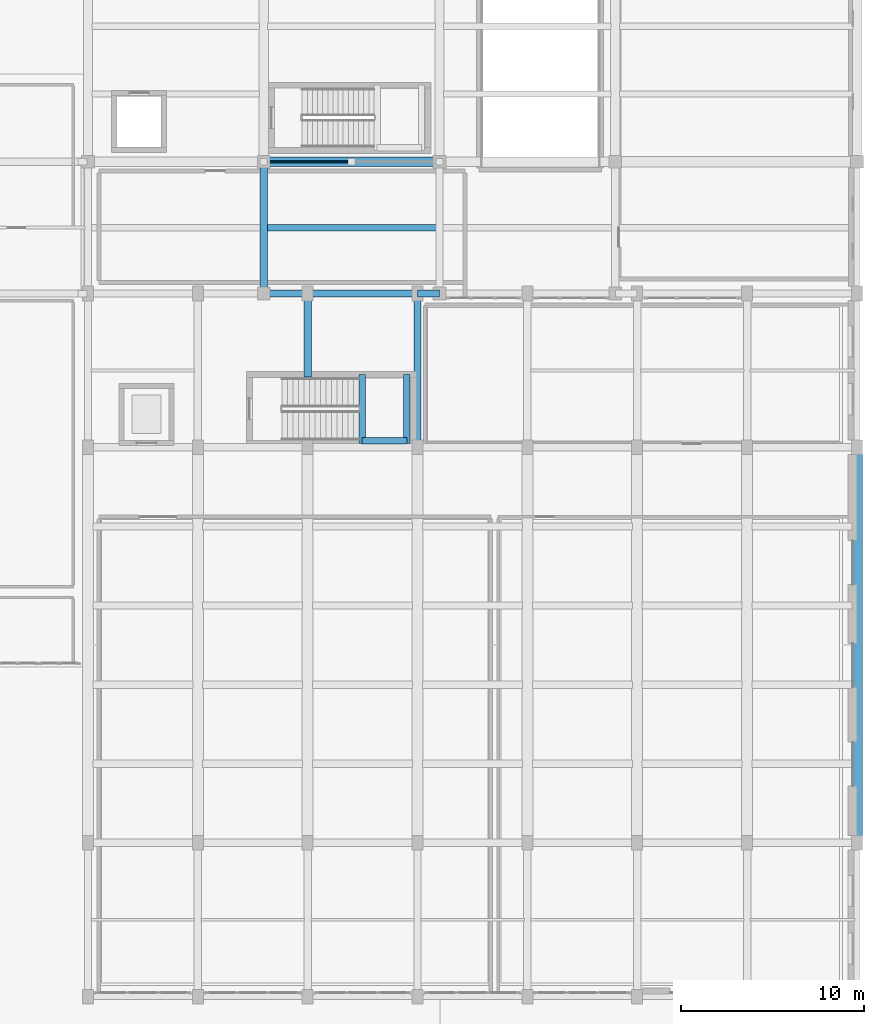
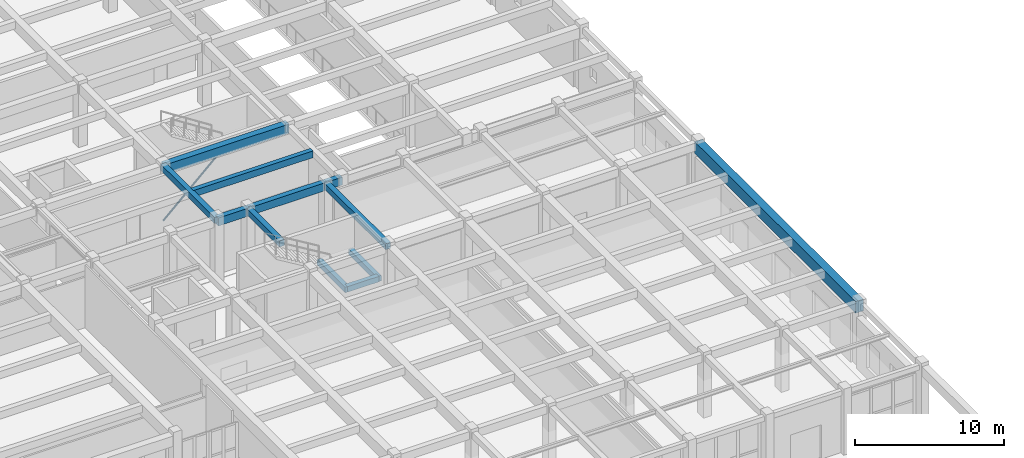
# One storey, part 53 of 98: 12 beams, 1 member.
"""IFC4 building model written with IfcOpenShell, lengths in metres."""

from ifc_helpers import new_model, si_unit, direction, frame, origin, origin_2d, place, context, subcontext, project, spatial, rectangle, hollow_circle, extrude, material, material_profile, profile_set, type_object, element, save


model = new_model("IFC4")

# Units and contexts
model_context = context("Model", 3, precision=1e-05, world=origin(), true_north=direction((0.0, 1.0)))
body_context = subcontext(model_context, "Body", "Model", "MODEL_VIEW")
ifc_project = project(units=[si_unit("LENGTHUNIT", "METRE"), si_unit("AREAUNIT", "SQUARE_METRE"), si_unit("VOLUMEUNIT", "CUBIC_METRE"), si_unit("PLANEANGLEUNIT", "RADIAN"), si_unit("MASSUNIT", "GRAM", prefix="KILO")], contexts=[model_context])

# Site, building, storey
site_placement = place(None, origin())
site = spatial("IfcSite", under=ifc_project, at=site_placement, CompositionType="ELEMENT")
building_placement = place(site_placement, origin())
building = spatial("IfcBuilding", under=site, at=building_placement, Name="Tarnavel Promenade Courthouse", CompositionType="ELEMENT")
storey_placement = place(building_placement, origin())
storey = spatial("IfcBuildingStorey", under=building, at=storey_placement, Name="L01", CompositionType="ELEMENT", Elevation=0.0)

# Beams
ifc_material_1 = material(Name="Concrete C40/50", Category="concrete")
ifc_material_profile_1 = material_profile(ifc_material_1, rectangle(XDim=0.35009765625, YDim=0.550048828125, at=origin_2d()), Name="PT 350x550")
ifc_profile_set_1 = profile_set([ifc_material_profile_1], Name="Concrete C40/50")
beam_type_1 = type_object("IfcBeamType", Name="Concrete C40/50 BM-PT-350x550 (PT 350x550)", PredefinedType="JOIST", material=ifc_profile_set_1)
beam_1_placement = place(storey_placement, frame((129.77001953125, 70.800048828125, 4.860107421875), z_axis=(1.0, 0.0, 0.0), x_axis=(0.0, 1.0, 0.0)))
element("IfcBeam", 1, at=beam_1_placement, inside=storey, type_object=beam_type_1, Name="L01 Secondary Floor Rib 0943", PredefinedType="JOIST", context=body_context, shape_type="SweptSolid", body=[
    extrude(rectangle(XDim=0.35009765625, YDim=0.550048828125, at=origin_2d()), origin(), (0.0, 0.0, 1.0), 9.260009765625),
])
ifc_material_profile_2 = material_profile(ifc_material_1, rectangle(XDim=0.60009765625, YDim=0.949951171875, at=origin_2d()), Name="PT 600x950")
ifc_profile_set_2 = profile_set([ifc_material_profile_2], Name="Concrete C40/50")
beam_type_2 = type_object("IfcBeamType", Name="Concrete C40/50 BM-PT-600x950 (PT 600x950)", PredefinedType="T_BEAM", material=ifc_profile_set_2)
beam_2_placement = place(storey_placement, frame((162.0, 37.199951171875, 4.659912109375), z_axis=(0.0, 1.0, 0.0), x_axis=(-1.0, 0.0, 0.0)))
element("IfcBeam", 2, at=beam_2_placement, inside=storey, type_object=beam_type_2, Name="L01 Transverse Girder 0883", PredefinedType="T_BEAM", context=body_context, shape_type="SweptSolid", body=[
    extrude(rectangle(XDim=0.60009765625, YDim=0.949951171875, at=origin_2d()), origin(), (0.0, 0.0, 1.0), 21.60009765625),
])
ifc_material_profile_3 = material_profile(ifc_material_1, rectangle(XDim=0.35009765625, YDim=0.449951171875, at=origin_2d()), Name="RC 350x450")
ifc_profile_set_3 = profile_set([ifc_material_profile_3], Name="Concrete C40/50")
beam_type_3 = type_object("IfcBeamType", Name="Concrete C40/50 BM-RC-350x450 (RC 350x450)", PredefinedType="BEAM", material=ifc_profile_set_3)
for number, where, z_axis, x_axis, name in (
    (3, (134.97998046875, 59.02001953125, 2.27001953125), (0.0, 1.0, 0.0), (-1.0, 0.0, 0.0), "L01 ST-08 Mid-Landing Support Beam Near"),
    (4, (137.419921875, 59.02001953125, 2.27001953125), (0.0, 1.0, 0.0), (-1.0, 0.0, 0.0), "L01 ST-08 Mid-Landing Support Beam Far"),
):
    element("IfcBeam", number, at=place(storey_placement, frame(where, z_axis=z_axis, x_axis=x_axis)), inside=storey, type_object=beam_type_3, Name=name, PredefinedType="BEAM", context=body_context, shape_type="SweptSolid", body=[
        extrude(rectangle(XDim=0.35009765625, YDim=0.449951171875, at=origin_2d()), origin(), (0.0, 0.0, 1.0), 3.760009765625),
    ])
beam_3_placement = place(storey_placement, frame((134.97998046875, 59.169921875, 2.27001953125), z_axis=(1.0, 0.0, 0.0), x_axis=(0.0, 1.0, 0.0)))
element("IfcBeam", 5, at=beam_3_placement, inside=storey, type_object=beam_type_3, Name="L01 ST-08 Mid-Landing Edge Trimmer", PredefinedType="BEAM", context=body_context, shape_type="SweptSolid", body=[
    extrude(rectangle(XDim=0.35009765625, YDim=0.449951171875, at=origin_2d()), origin(), (0.0, 0.0, 1.0), 2.43994140625),
])
ifc_material_profile_4 = material_profile(ifc_material_1, rectangle(XDim=0.39990234375, YDim=0.5, at=origin_2d()), Name="RC 400x500")
ifc_profile_set_4 = profile_set([ifc_material_profile_4], Name="Concrete C40/50")
beam_type_4 = type_object("IfcBeamType", Name="Concrete C40/50 BM-RC-400x500 (RC 400x500)", PredefinedType="BEAM", material=ifc_profile_set_4)
beam_4_placement = place(storey_placement, frame((129.60009765625, 67.199951171875, 4.885009765625), z_axis=(0.0, 1.0, 0.0), x_axis=(-1.0, 0.0, 0.0)))
element("IfcBeam", 6, at=beam_4_placement, inside=storey, type_object=beam_type_4, Name="L01 Transverse Girder 0845", PredefinedType="BEAM", context=body_context, shape_type="SweptSolid", body=[
    extrude(rectangle(XDim=0.39990234375, YDim=0.5, at=origin_2d()), origin(), (0.0, 0.0, 1.0), 7.199951171875),
])
beam_5_placement = place(storey_placement, frame((132.0, 62.64990234375, 4.885009765625), z_axis=(0.0, 1.0, 0.0), x_axis=(-1.0, 0.0, 0.0)))
element("IfcBeam", 7, at=beam_5_placement, inside=storey, type_object=beam_type_4, Name="L01 Transverse Girder 0852", PredefinedType="BEAM", context=body_context, shape_type="SweptSolid", body=[
    extrude(rectangle(XDim=0.39990234375, YDim=0.5, at=origin_2d()), origin(), (0.0, 0.0, 1.0), 4.550048828125),
])
beam_6_placement = place(storey_placement, frame((138.0, 58.800048828125, 4.885009765625), z_axis=(0.0, 1.0, 0.0), x_axis=(-1.0, 0.0, 0.0)))
element("IfcBeam", 8, at=beam_6_placement, inside=storey, type_object=beam_type_4, Name="L01 Transverse Girder 0855", PredefinedType="BEAM", context=body_context, shape_type="SweptSolid", body=[
    extrude(rectangle(XDim=0.39990234375, YDim=0.5, at=origin_2d()), origin(), (0.0, 0.0, 1.0), 8.39990234375),
])
ifc_material_profile_5 = material_profile(ifc_material_1, rectangle(XDim=0.39990234375, YDim=0.64990234375, at=origin_2d()), Name="RC 400x650")
ifc_profile_set_5 = profile_set([ifc_material_profile_5], Name="Concrete C40/50")
beam_type_5 = type_object("IfcBeamType", Name="Concrete C40/50 BM-RC-400x650 (RC 400x650)", PredefinedType="BEAM", material=ifc_profile_set_5)
beam_7_placement = place(storey_placement, frame((129.60009765625, 67.199951171875, 4.81005859375), z_axis=(1.0, 0.0, 0.0), x_axis=(0.0, 1.0, 0.0)))
element("IfcBeam", 9, at=beam_7_placement, inside=storey, type_object=beam_type_5, Name="L01 Primary Longitudinal Beam 0652", PredefinedType="BEAM", context=body_context, shape_type="SweptSolid", body=[
    extrude(rectangle(XDim=0.39990234375, YDim=0.64990234375, at=origin_2d()), origin(), (0.0, 0.0, 1.0), 2.39990234375),
])
beam_8_placement = place(storey_placement, frame((132.0, 67.199951171875, 4.81005859375), z_axis=(1.0, 0.0, 0.0), x_axis=(0.0, 1.0, 0.0)))
element("IfcBeam", 10, at=beam_8_placement, inside=storey, type_object=beam_type_5, Name="L01 Primary Longitudinal Beam 0653", PredefinedType="BEAM", context=body_context, shape_type="SweptSolid", body=[
    extrude(rectangle(XDim=0.39990234375, YDim=0.64990234375, at=origin_2d()), origin(), (0.0, 0.0, 1.0), 6.0),
])
beam_9_placement = place(storey_placement, frame((138.0, 67.199951171875, 4.81005859375), z_axis=(1.0, 0.0, 0.0), x_axis=(0.0, 1.0, 0.0)))
element("IfcBeam", 11, at=beam_9_placement, inside=storey, type_object=beam_type_5, Name="L01 Primary Longitudinal Beam 0654", PredefinedType="BEAM", context=body_context, shape_type="SweptSolid", body=[
    extrude(rectangle(XDim=0.39990234375, YDim=0.64990234375, at=origin_2d()), origin(), (0.0, 0.0, 1.0), 1.199951171875),
])
ifc_material_profile_6 = material_profile(ifc_material_1, rectangle(XDim=0.5, YDim=0.75, at=origin_2d()), Name="RC 500x750")
ifc_profile_set_6 = profile_set([ifc_material_profile_6], Name="Concrete C40/50")
beam_type_6 = type_object("IfcBeamType", Name="Concrete C40/50 BM-RC-500x750 (RC 500x750)", PredefinedType="T_BEAM", material=ifc_profile_set_6)
beam_10_placement = place(storey_placement, frame((129.60009765625, 74.39990234375, 4.760009765625), z_axis=(1.0, 0.0, 0.0), x_axis=(0.0, 1.0, 0.0)))
element("IfcBeam", 12, at=beam_10_placement, inside=storey, type_object=beam_type_6, Name="L01 Primary Longitudinal Beam 0674", PredefinedType="T_BEAM", context=body_context, shape_type="SweptSolid", body=[
    extrude(rectangle(XDim=0.5, YDim=0.75, at=origin_2d()), origin(), (0.0, 0.0, 1.0), 9.599853515625),
])

# Member
ifc_material_2 = material(Name="Steel S355J2", Category="steel")
ifc_material_profile_7 = material_profile(ifc_material_2, hollow_circle(Radius=0.06982421875, WallThickness=0.008056640625, at=origin_2d()), Name="CHS 139.7x8")
ifc_profile_set_7 = profile_set([ifc_material_profile_7], Name="Steel S355J2")
member_type = type_object("IfcMemberType", Name="Steel S355J2 MEM-BR-CHS140 (CHS 139.7x8)", PredefinedType="BRACE", material=ifc_profile_set_7)
member_placement = place(storey_placement, frame((129.60009765625, 74.39990234375, 0.43505859375), z_axis=(0.733327326961, 0.0, 0.679875747127), x_axis=(0.0, 1.0, 0.0)))
element("IfcMember", 13, at=member_placement, inside=storey, type_object=member_type, Name="L01 V6 Chevron Brace A 048", PredefinedType="BRACE", context=body_context, shape_type="SweptSolid", body=[
    extrude(hollow_circle(Radius=0.06982421875, WallThickness=0.008056640625, at=origin_2d()), origin(), (0.0, 0.0, 1.0), 6.545166015625),
])

save(model, "model.ifc")
